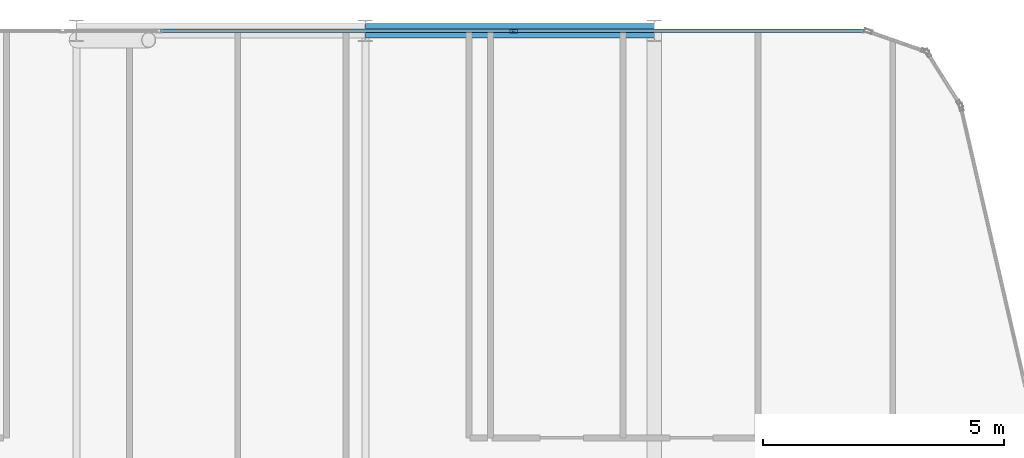
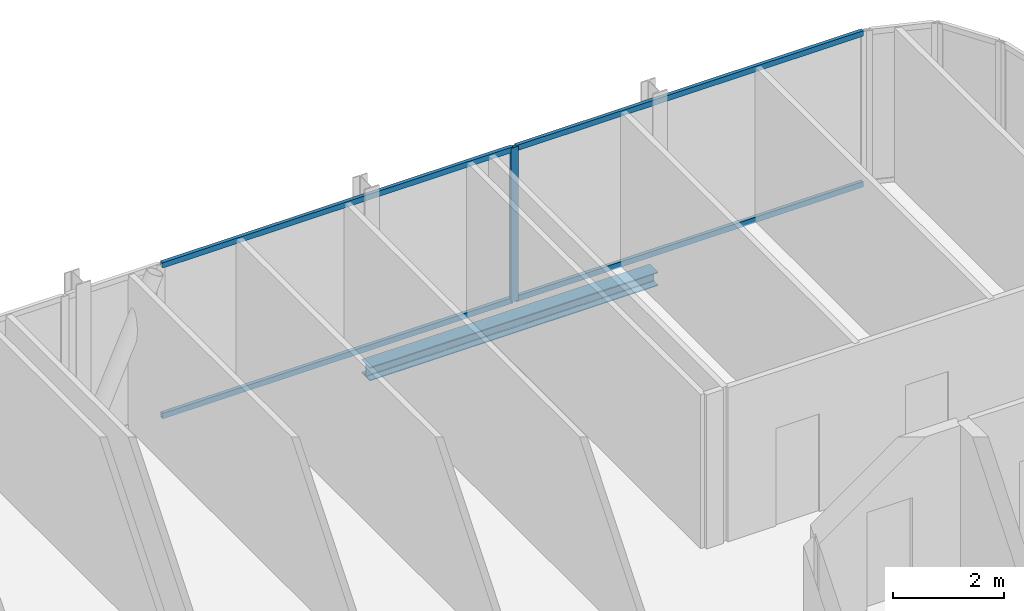
# One storey, part 19 of 29: 5 members, 1 beam, 1 element without a shape of its own.
"""IFC4 building model written with IfcOpenShell, lengths in metres."""

from ifc_helpers import new_model, si_unit, direction, frame, origin, origin_2d, place, context, subcontext, project, spatial, hollow_rectangle, i_section, extrude, material, layer, layer_set, material_profile, profile_set, type_object, element, aggregate, save


model = new_model("IFC4")

# Units and contexts
model_context = context("Model", 3, precision=1e-05, world=origin(), true_north=direction((0.0, 1.0)))
body_context = subcontext(model_context, "Body", "Model", "MODEL_VIEW")
ifc_project = project(units=[si_unit("LENGTHUNIT", "METRE"), si_unit("AREAUNIT", "SQUARE_METRE"), si_unit("VOLUMEUNIT", "CUBIC_METRE"), si_unit("PLANEANGLEUNIT", "RADIAN"), si_unit("MASSUNIT", "GRAM", prefix="KILO")], contexts=[model_context])

# Site, building, storey
site_placement = place(None, origin())
site = spatial("IfcSite", under=ifc_project, at=site_placement, CompositionType="ELEMENT")
building_placement = place(site_placement, origin())
building = spatial("IfcBuilding", under=site, at=building_placement, Name="Keshet Zoharim Tower", CompositionType="ELEMENT")
storey_placement = place(building_placement, frame((0.0, 0.0, 206.89990234375)))
storey = spatial("IfcBuildingStorey", under=building, at=storey_placement, Name="L51", CompositionType="ELEMENT", Elevation=206.89990234375)

# Beam
ifc_material_1 = material(Name="Steel S355", Category="steel")
ifc_material_profile_1 = material_profile(ifc_material_1, i_section(OverallWidth=0.300048828125, OverallDepth=0.300048828125, WebThickness=0.010986328125, FlangeThickness=0.01904296875, FilletRadius=0.027099609375, at=origin_2d()), Name="HEB300")
ifc_profile_set_1 = profile_set([ifc_material_profile_1], Name="Steel S355")
beam_type = type_object("IfcBeamType", Name="BM-PRI-HB300", PredefinedType="BEAM", material=ifc_profile_set_1)
beam_placement = place(storey_placement, frame((27.0, 53.89990234375, -0.4599609375), z_axis=(1.0, 0.0, 0.0), x_axis=(0.0, 1.0, 0.0)))
element("IfcBeam", 1, at=beam_placement, inside=storey, type_object=beam_type, Name="L51 Primary Girder X-020", PredefinedType="BEAM", context=body_context, shape_type="SweptSolid", body=[
    extrude(i_section(OverallWidth=0.300048828125, OverallDepth=0.300048828125, WebThickness=0.010986328125, FlangeThickness=0.01904296875, FilletRadius=0.027099609375, at=origin_2d()), origin(), (0.0, 0.0, 1.0), 6.0),
])

# Curtain wall, members
ifc_material_2 = material(Name="Aluminium 6063-T6", Category="aluminium")
ifc_layer = layer(ifc_material_2, 0.139892578125)
ifc_layer_set = layer_set([ifc_layer], Name="Aluminium 6063-T6")
curtain_wall_type = type_object("IfcCurtainWallType", Name="CW-SYS-05", PredefinedType="NOTDEFINED", material=ifc_layer_set)
curtain_wall_placement = place(storey_placement, origin())
curtain_wall = element("IfcCurtainWall", 2, at=curtain_wall_placement, inside=storey, type_object=curtain_wall_type, Name="L51 Unitised Curtain Wall 16 Part 3", PredefinedType="NOTDEFINED")
ifc_material_profile_2 = material_profile(ifc_material_2, hollow_rectangle(XDim=0.074951171875, YDim=0.159912109375, WallThickness=0.00390625, at=origin_2d()), Name="MUL-75x160")
ifc_profile_set_2 = profile_set([ifc_material_profile_2], Name="Aluminium 6063-T6")
member_type_1 = type_object("IfcMemberType", Name="CWM-M15", PredefinedType="MULLION", material=ifc_profile_set_2)
member_1_placement = place(storey_placement, frame((30.07861328125, 53.89990234375, 0.0), z_axis=(0.0, 0.0, 1.0), x_axis=(0.0, 1.0, 0.0)))
member_1 = element("IfcMember", 3, at=member_1_placement, type_object=member_type_1, Name="CW-05 mullion 2", PredefinedType="MULLION", context=body_context, shape_type="SweptSolid", body=[
    extrude(hollow_rectangle(XDim=0.074951171875, YDim=0.159912109375, WallThickness=0.00390625, at=origin_2d()), origin(), (0.0, 0.0, 1.0), 3.39013671875),
])
ifc_material_profile_3 = material_profile(ifc_material_2, hollow_rectangle(XDim=0.074951171875, YDim=0.1201171875, WallThickness=0.00390625, at=origin_2d()), Name="TRN-75x120")
ifc_profile_set_3 = profile_set([ifc_material_profile_3], Name="Aluminium 6063-T6")
member_type_2 = type_object("IfcMemberType", Name="CWT-T12", PredefinedType="USERDEFINED", material=ifc_profile_set_3)
member_2_placement = place(storey_placement, frame((22.748046875, 53.89990234375, 0.03515625), z_axis=(1.0, 0.0, 0.0), x_axis=(0.0, 1.0, 0.0)))
member_2 = element("IfcMember", 4, at=member_2_placement, type_object=member_type_2, Name="CW-05 transom 1.1", ObjectType="TRANSOM", PredefinedType="USERDEFINED", context=body_context, shape_type="SweptSolid", body=[
    extrude(hollow_rectangle(XDim=0.074951171875, YDim=0.1201171875, WallThickness=0.00390625, at=origin_2d()), origin(), (0.0, 0.0, 1.0), 7.29541015625),
])
member_3_placement = place(storey_placement, frame((22.748046875, 53.89990234375, 3.35498046875), z_axis=(1.0, 0.0, 0.0), x_axis=(0.0, 1.0, 0.0)))
member_3 = element("IfcMember", 5, at=member_3_placement, type_object=member_type_2, Name="CW-05 transom 1.2", ObjectType="TRANSOM", PredefinedType="USERDEFINED", context=body_context, shape_type="SweptSolid", body=[
    extrude(hollow_rectangle(XDim=0.074951171875, YDim=0.1201171875, WallThickness=0.00390625, at=origin_2d()), origin(), (0.0, 0.0, 1.0), 7.29541015625),
])
member_4_placement = place(storey_placement, frame((30.113525390625, 53.89990234375, 0.03515625), z_axis=(1.0, 0.0, 0.0), x_axis=(0.0, 1.0, 0.0)))
member_4 = element("IfcMember", 6, at=member_4_placement, type_object=member_type_2, Name="CW-05 transom 2.1", ObjectType="TRANSOM", PredefinedType="USERDEFINED", context=body_context, shape_type="SweptSolid", body=[
    extrude(hollow_rectangle(XDim=0.074951171875, YDim=0.1201171875, WallThickness=0.00390625, at=origin_2d()), origin(), (0.0, 0.0, 1.0), 7.2255859375),
])
member_5_placement = place(storey_placement, frame((30.113525390625, 53.89990234375, 3.35498046875), z_axis=(1.0, 0.0, 0.0), x_axis=(0.0, 1.0, 0.0)))
member_5 = element("IfcMember", 7, at=member_5_placement, type_object=member_type_2, Name="CW-05 transom 2.2", ObjectType="TRANSOM", PredefinedType="USERDEFINED", context=body_context, shape_type="SweptSolid", body=[
    extrude(hollow_rectangle(XDim=0.074951171875, YDim=0.1201171875, WallThickness=0.00390625, at=origin_2d()), origin(), (0.0, 0.0, 1.0), 7.2255859375),
])
aggregate(curtain_wall, [member_1, member_2, member_3, member_4, member_5])

save(model, "model.ifc")
